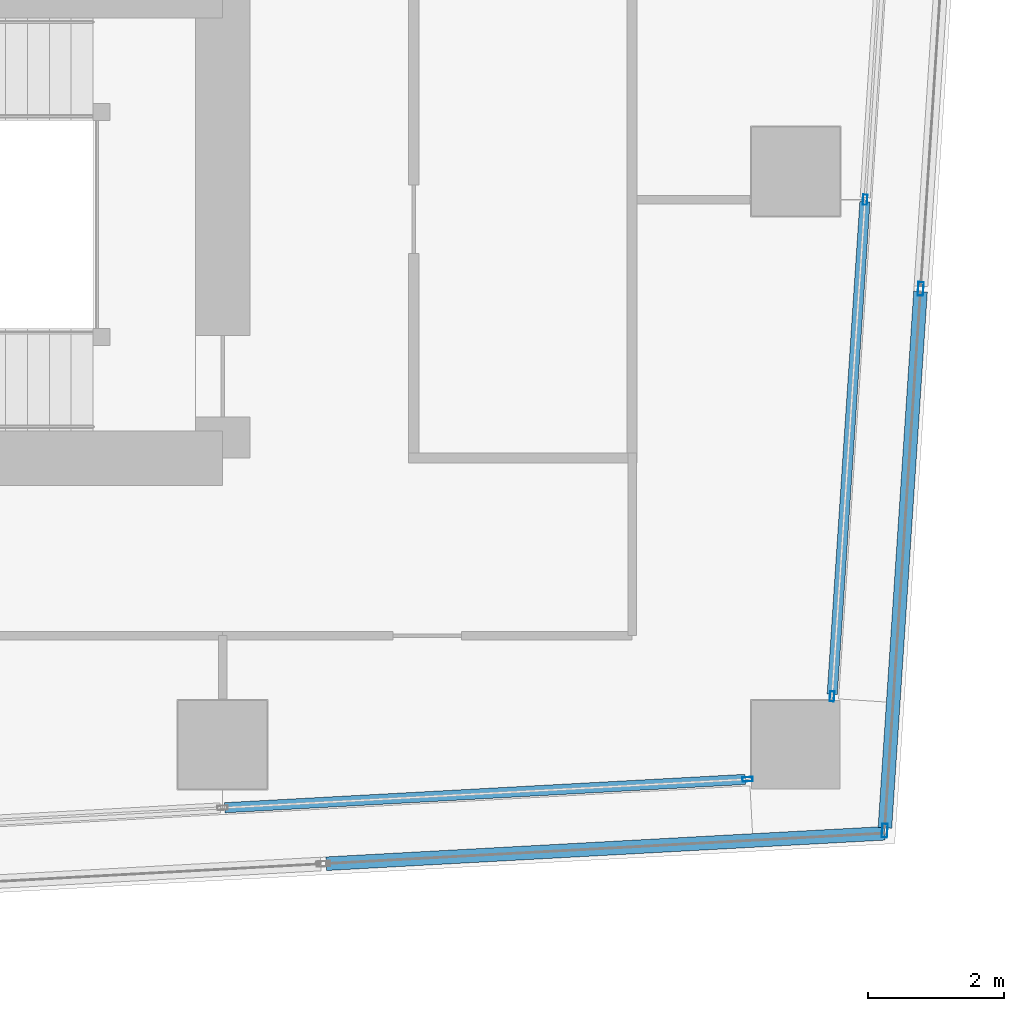
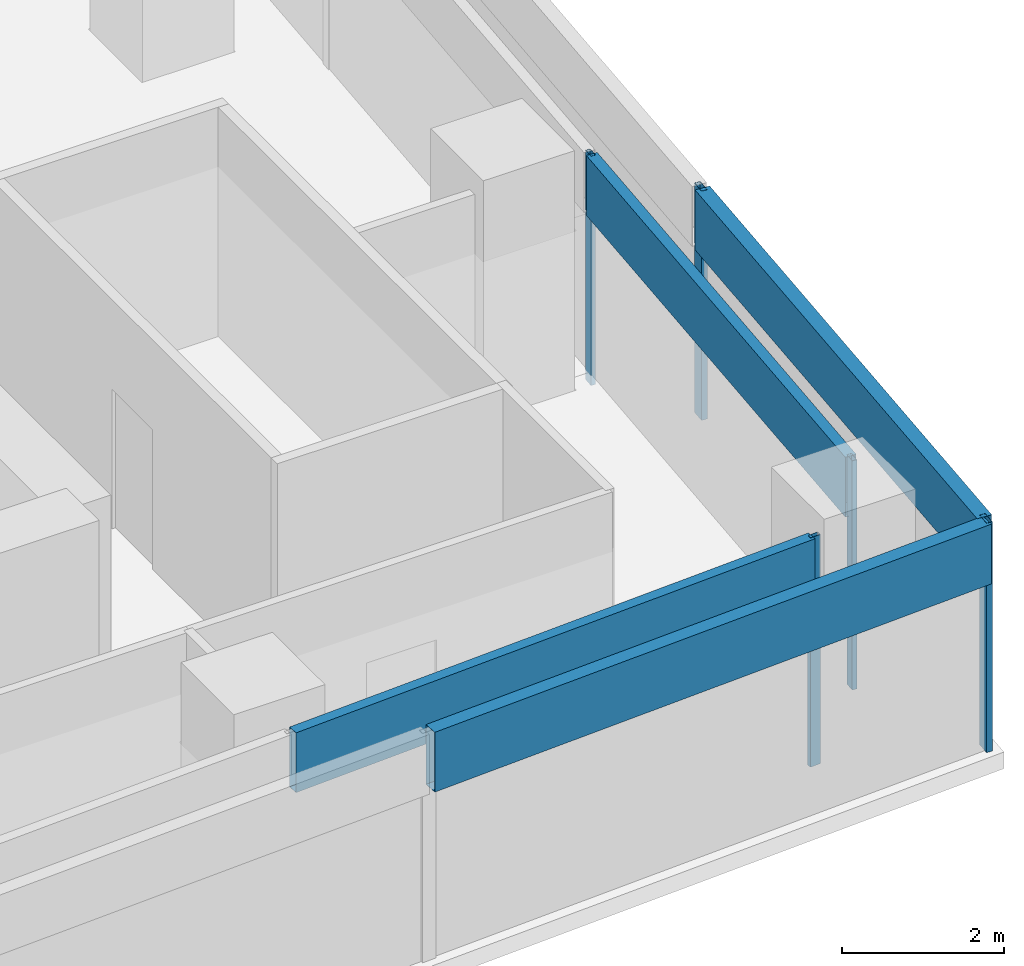
# One storey, part 11 of 30: 9 members, 4 elements without a shape of their own.
"""IFC4 building model written with IfcOpenShell, lengths in metres."""

from ifc_helpers import new_model, si_unit, direction, frame, origin, origin_2d, place, context, subcontext, project, spatial, hollow_rectangle, extrude, material, material_profile, profile_set, type_object, element, aggregate, save


model = new_model("IFC4")

# Units and contexts
model_context = context("Model", 3, precision=1e-05, world=origin(), true_north=direction((0.0, 1.0)))
body_context = subcontext(model_context, "Body", "Model", "MODEL_VIEW")
ifc_project = project(units=[si_unit("LENGTHUNIT", "METRE"), si_unit("AREAUNIT", "SQUARE_METRE"), si_unit("VOLUMEUNIT", "CUBIC_METRE"), si_unit("PLANEANGLEUNIT", "RADIAN"), si_unit("MASSUNIT", "GRAM", prefix="KILO")], contexts=[model_context])

# Site, building, storey
site_placement = place(None, origin())
site = spatial("IfcSite", under=ifc_project, at=site_placement, CompositionType="ELEMENT")
building_placement = place(site_placement, origin())
building = spatial("IfcBuilding", under=site, at=building_placement, Name="Rekha Terrace Tower", CompositionType="ELEMENT")
storey_placement = place(building_placement, frame((0.0, 0.0, 287.60009765625)))
storey = spatial("IfcBuildingStorey", under=building, at=storey_placement, Name="L73", CompositionType="ELEMENT", Elevation=287.60009765625)

# Curtain wall, member
ifc_material_1 = material(Name="Aluminium framing", Category="aluminium")
curtain_wall_type_1 = type_object("IfcCurtainWallType", Name="CW1 double skin inner glazing", PredefinedType="USERDEFINED", material=ifc_material_1)
curtain_wall_1_placement = place(storey_placement, origin())
curtain_wall_1 = element("IfcCurtainWall", 1, at=curtain_wall_1_placement, inside=storey, type_object=curtain_wall_type_1, Name="CW1 double skin inner glazing", ObjectType="DOUBLE SKIN INNER GLAZING", PredefinedType="USERDEFINED")
ifc_material_2 = material(Name="Aluminium mullion section", Category="aluminium")
ifc_material_profile_1 = material_profile(ifc_material_2, hollow_rectangle(XDim=0.06494140625, YDim=0.14990234375, WallThickness=0.00390625, at=origin_2d()), Name="AL RHS 65x150")
ifc_profile_set_1 = profile_set([ifc_material_profile_1], Name="Aluminium mullion section")
member_type_1 = type_object("IfcMemberType", Name="CW1 mullion RHS 65 x 150", PredefinedType="MULLION", material=ifc_profile_set_1)
member_1_placement = place(storey_placement, frame((58.092529296875, 16.2939453125, 0.0), z_axis=(0.0, 0.0, 1.0), x_axis=(-0.054388903036, 0.998519828159, 0.0)))
member_1 = element("IfcMember", 2, at=member_1_placement, type_object=member_type_1, Name="CW1 mullion 5", PredefinedType="MULLION", context=body_context, shape_type="SweptSolid", body=[
    extrude(hollow_rectangle(XDim=0.06494140625, YDim=0.14990234375, WallThickness=0.00390625, at=origin_2d()), origin(), (0.0, 0.0, 1.0), 3.449951171875),
])

# Curtain wall, members
curtain_wall_2_placement = place(storey_placement, origin())
curtain_wall_2 = element("IfcCurtainWall", 3, at=curtain_wall_2_placement, inside=storey, type_object=curtain_wall_type_1, Name="CW1 double skin inner glazing", ObjectType="DOUBLE SKIN INNER GLAZING", PredefinedType="USERDEFINED")
member_2_placement = place(storey_placement, frame((59.3310546875, 17.5087890625, 0.0), z_axis=(0.0, 0.0, 1.0), x_axis=(-0.997801621769, 0.066271589649, 0.0)))
member_2 = element("IfcMember", 4, at=member_2_placement, type_object=member_type_1, Name="CW1 mullion 1", PredefinedType="MULLION", context=body_context, shape_type="SweptSolid", body=[
    extrude(hollow_rectangle(XDim=0.06494140625, YDim=0.14990234375, WallThickness=0.00390625, at=origin_2d()), origin(), (0.0, 0.0, 1.0), 3.449951171875),
])
member_3_placement = place(storey_placement, frame((59.814453125, 24.78662109375, 0.0), z_axis=(0.0, 0.0, 1.0), x_axis=(-0.997801621769, 0.066271589649, 0.0)))
member_3 = element("IfcMember", 5, at=member_3_placement, type_object=member_type_1, Name="CW1 mullion 2", PredefinedType="MULLION", context=body_context, shape_type="SweptSolid", body=[
    extrude(hollow_rectangle(XDim=0.06494140625, YDim=0.14990234375, WallThickness=0.00390625, at=origin_2d()), origin(), (0.0, 0.0, 1.0), 3.449951171875),
])

# Member
ifc_material_3 = material(Name="Insulated aluminium spandrel box", Category="aluminium")
ifc_material_profile_2 = material_profile(ifc_material_3, hollow_rectangle(XDim=0.14990234375, YDim=0.89990234375, WallThickness=0.0029296875, at=origin_2d()), Name="AL SPANDREL BOX 150x900")
ifc_profile_set_2 = profile_set([ifc_material_profile_2], Name="Insulated aluminium spandrel box")
member_type_2 = type_object("IfcMemberType", Name="CW1 spandrel transom 150 x 900", PredefinedType="USERDEFINED", material=ifc_profile_set_2)
member_4_placement = place(storey_placement, frame((50.431640625, 15.876708984375, 3.0), z_axis=(0.998519749799, 0.054390341617, 0.0), x_axis=(-0.054390341617, 0.998519749799, 0.0)))
member_4 = element("IfcMember", 6, at=member_4_placement, type_object=member_type_2, Name="CW1 spandrel transom 4", ObjectType="TRANSOM", PredefinedType="USERDEFINED", context=body_context, shape_type="SweptSolid", body=[
    extrude(hollow_rectangle(XDim=0.14990234375, YDim=0.89990234375, WallThickness=0.0029296875, at=origin_2d()), origin(), (0.0, 0.0, 1.0), 7.6396484375),
])

aggregate(curtain_wall_1, [member_1, member_4])

member_5_placement = place(storey_placement, frame((59.333251953125, 17.541015625, 3.0), z_axis=(0.066261233081, 0.997802309574, 0.0), x_axis=(-0.997802309574, 0.066261233081, 0.0)))
member_5 = element("IfcMember", 7, at=member_5_placement, type_object=member_type_2, Name="CW1 spandrel transom 1", ObjectType="TRANSOM", PredefinedType="USERDEFINED", context=body_context, shape_type="SweptSolid", body=[
    extrude(hollow_rectangle(XDim=0.14990234375, YDim=0.89990234375, WallThickness=0.0029296875, at=origin_2d()), origin(), (0.0, 0.0, 1.0), 7.22900390625),
])

aggregate(curtain_wall_2, [member_2, member_3, member_5])

# Curtain wall, members
curtain_wall_type_2 = type_object("IfcCurtainWallType", Name="CW2 double skin outer glazing", PredefinedType="USERDEFINED", material=ifc_material_1)
curtain_wall_3_placement = place(storey_placement, origin())
curtain_wall_3 = element("IfcCurtainWall", 8, at=curtain_wall_3_placement, inside=storey, type_object=curtain_wall_type_2, Name="CW2 double skin outer glazing", ObjectType="DOUBLE SKIN OUTER GLAZING", PredefinedType="USERDEFINED")
ifc_material_profile_3 = material_profile(ifc_material_2, hollow_rectangle(XDim=0.080078125, YDim=0.199951171875, WallThickness=0.00390625, at=origin_2d()), Name="AL RHS 80x200")
ifc_profile_set_3 = profile_set([ifc_material_profile_3], Name="Aluminium mullion section")
member_type_3 = type_object("IfcMemberType", Name="CW2 mullion RHS 80 x 200", PredefinedType="MULLION", material=ifc_profile_set_3)
member_6_placement = place(storey_placement, frame((60.102294921875, 15.5419921875, 0.0), z_axis=(0.0, 0.0, 1.0), x_axis=(-0.997801621769, 0.066271589649, 0.0)))
member_6 = element("IfcMember", 9, at=member_6_placement, type_object=member_type_3, Name="CW2 mullion 1", PredefinedType="MULLION", context=body_context, shape_type="SweptSolid", body=[
    extrude(hollow_rectangle(XDim=0.080078125, YDim=0.199951171875, WallThickness=0.00390625, at=origin_2d()), origin(), (0.0, 0.0, 1.0), 3.449951171875),
])
member_7_placement = place(storey_placement, frame((60.629638671875, 23.479736328125, 0.0), z_axis=(0.0, 0.0, 1.0), x_axis=(-0.997801621769, 0.066271589649, 0.0)))
member_7 = element("IfcMember", 10, at=member_7_placement, type_object=member_type_3, Name="CW2 mullion 2", PredefinedType="MULLION", context=body_context, shape_type="SweptSolid", body=[
    extrude(hollow_rectangle(XDim=0.080078125, YDim=0.199951171875, WallThickness=0.00390625, at=origin_2d()), origin(), (0.0, 0.0, 1.0), 3.449951171875),
])

# Curtain wall, member
curtain_wall_4_placement = place(storey_placement, origin())
curtain_wall_4 = element("IfcCurtainWall", 11, at=curtain_wall_4_placement, inside=storey, type_object=curtain_wall_type_2, Name="CW2 double skin outer glazing", ObjectType="DOUBLE SKIN OUTER GLAZING", PredefinedType="USERDEFINED")
ifc_material_profile_4 = material_profile(ifc_material_3, hollow_rectangle(XDim=0.199951171875, YDim=0.89990234375, WallThickness=0.0029296875, at=origin_2d()), Name="AL SPANDREL BOX 200x900")
ifc_profile_set_4 = profile_set([ifc_material_profile_4], Name="Insulated aluminium spandrel box")
member_type_4 = type_object("IfcMemberType", Name="CW2 spandrel transom 200 x 900", PredefinedType="USERDEFINED", material=ifc_profile_set_4)
member_8_placement = place(storey_placement, frame((51.91650390625, 15.056396484375, 3.0), z_axis=(0.998521064062, 0.054366208476, 0.0), x_axis=(-0.054366208476, 0.998521064062, 0.0)))
member_8 = element("IfcMember", 12, at=member_8_placement, type_object=member_type_4, Name="CW2 spandrel transom 4", ObjectType="TRANSOM", PredefinedType="USERDEFINED", context=body_context, shape_type="SweptSolid", body=[
    extrude(hollow_rectangle(XDim=0.199951171875, YDim=0.89990234375, WallThickness=0.0029296875, at=origin_2d()), origin(), (0.0, 0.0, 1.0), 8.195556640625),
])
aggregate(curtain_wall_4, [member_8])

# Member
member_9_placement = place(storey_placement, frame((60.10498046875, 15.581787109375, 3.0), z_axis=(0.066280327672, 0.997801041372, 0.0), x_axis=(-0.997801041372, 0.066280327672, 0.0)))
member_9 = element("IfcMember", 13, at=member_9_placement, type_object=member_type_4, Name="CW2 spandrel transom 1", ObjectType="TRANSOM", PredefinedType="USERDEFINED", context=body_context, shape_type="SweptSolid", body=[
    extrude(hollow_rectangle(XDim=0.199951171875, YDim=0.89990234375, WallThickness=0.0029296875, at=origin_2d()), origin(), (0.0, 0.0, 1.0), 7.875244140625),
])

aggregate(curtain_wall_3, [member_6, member_7, member_9])

save(model, "model.ifc")
